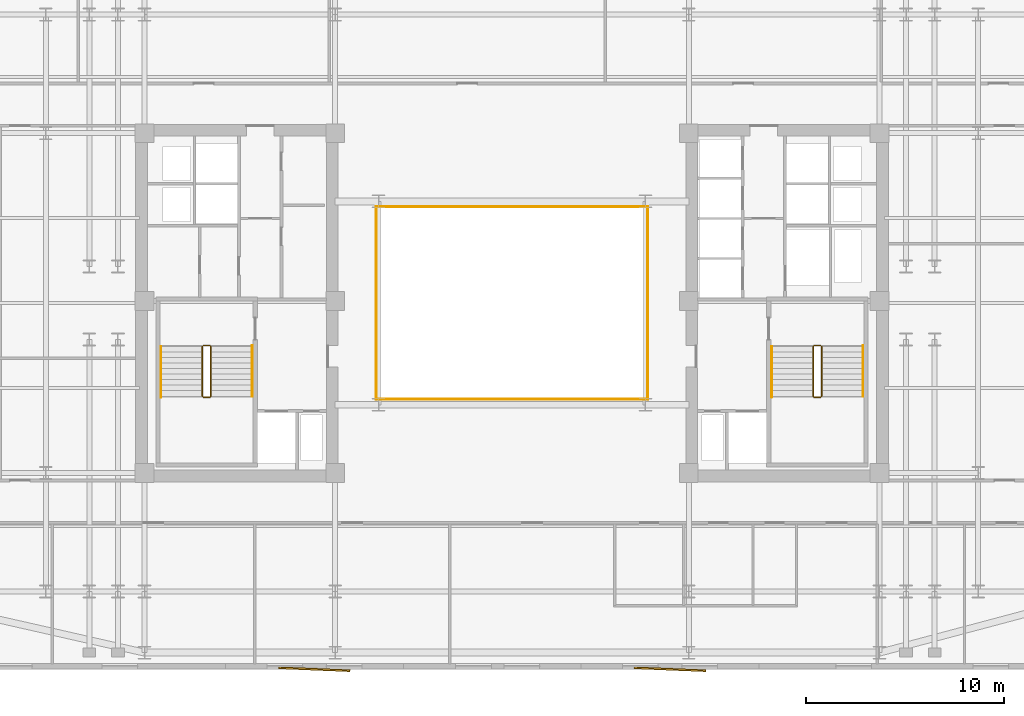
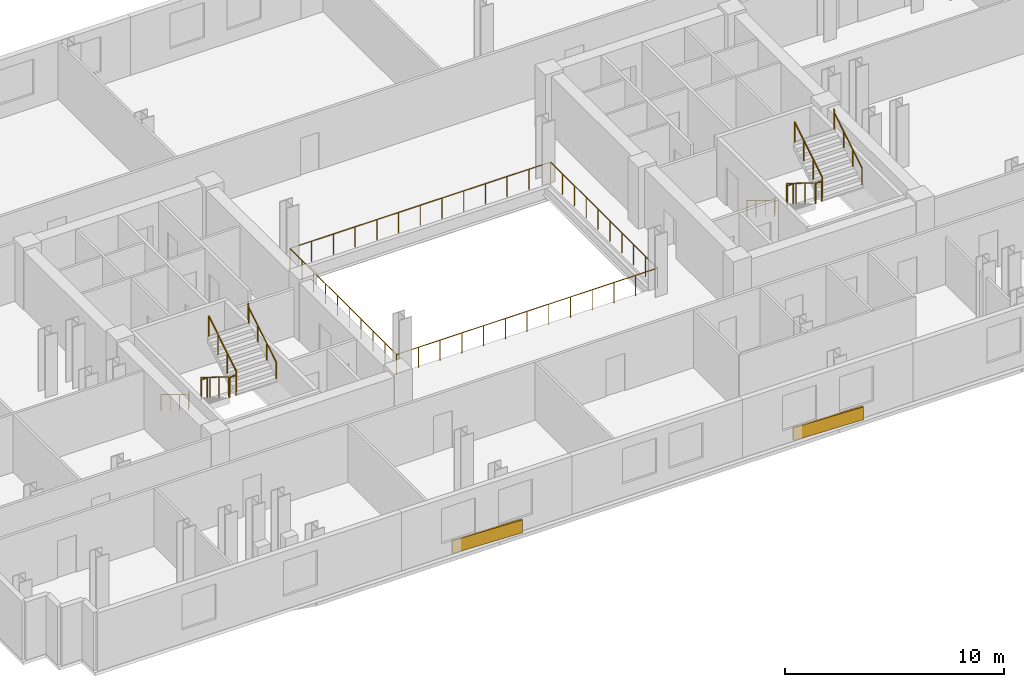
# One storey, part 8 of 9: 16 railings, 2 coverings.
"""IFC4 building model written with IfcOpenShell, lengths in metres."""

import ifcopenshell
import ifcopenshell.guid

model = None  # the IFC model being written
_history = None  # IfcOwnerHistory: only IFC2X3 demands one
_inside = {}  # id of a spatial element -> (the spatial element, [elements in it])
_under = {}  # id of a project, library or spatial element -> (it, [spatial elements below it])
_declared = {}  # id of a project -> (the project, [libraries it declares])
_typed = {}  # id of a type object -> (the type object, [elements of that type])
_made_of = {}  # id of a material, layer set ... -> (it, [elements and type objects made of it])


def new_model(schema):
    """Start an empty IFC model of exactly this schema.

    Asked for "IFC4X3", IfcOpenShell would pick the latest addendum, in which some entities
    have other attributes; the version numbers below select the first issue.
    IFC2X3 requires an IfcOwnerHistory on every rooted entity: one is made here for all.
    """
    global model, _history
    if schema == "IFC4X3":
        model = ifcopenshell.file(schema_version=(4, 3, 0, 0))
    else:
        model = ifcopenshell.file(schema=schema)
    _inside.clear()
    _under.clear()
    _declared.clear()
    _typed.clear()
    _made_of.clear()
    _history = None
    if model.schema == "IFC2X3":
        org = make("IfcOrganization", Name="unknown")
        user = make(
            "IfcPersonAndOrganization",
            ThePerson=make("IfcPerson", FamilyName="unknown"),
            TheOrganization=org,
        )
        app = make(
            "IfcApplication",
            ApplicationDeveloper=org,
            Version="unknown",
            ApplicationFullName="unknown",
            ApplicationIdentifier="unknown",
        )
        _history = make(
            "IfcOwnerHistory",
            OwningUser=user,
            OwningApplication=app,
            ChangeAction="ADDED",
            CreationDate=0,
        )
    return model


def make(cls, **values):
    """One entity of the class cls with the attributes given. An attribute that is None is left unset."""
    return model.create_entity(
        cls, **{name: value for name, value in values.items() if value is not None}
    )


def rooted(cls, **values):
    """An entity with a GlobalId (a new one), such as an element, a storey or a relation."""
    return make(cls, GlobalId=ifcopenshell.guid.new(), OwnerHistory=_history, **values)


def si_unit(unit_type, name, prefix=None):
    """IfcSIUnit, for example si_unit("LENGTHUNIT", "METRE", prefix="MILLI")."""
    return make("IfcSIUnit", UnitType=unit_type, Prefix=prefix, Name=name)


def assignment(units):
    """IfcUnitAssignment: the units of a project."""
    return None if units is None else make("IfcUnitAssignment", Units=units)


def point(xyz):
    """IfcCartesianPoint."""
    return None if xyz is None else make("IfcCartesianPoint", Coordinates=xyz)


def direction(xyz):
    """IfcDirection."""
    return None if xyz is None else make("IfcDirection", DirectionRatios=xyz)


def frame(location, z_axis=None, x_axis=None):
    """IfcAxis2Placement3D, a coordinate frame: its origin and axes. An axis left out is left unset."""
    return make(
        "IfcAxis2Placement3D",
        Location=point(location),
        Axis=direction(z_axis),
        RefDirection=direction(x_axis),
    )


def frame_2d(location, x_axis=None):
    """IfcAxis2Placement2D, a coordinate frame in the plane: its origin and x axis."""
    return make(
        "IfcAxis2Placement2D", Location=point(location), RefDirection=direction(x_axis)
    )


def origin():
    """The frame at (0, 0, 0) with its axes left unset."""
    return frame((0.0, 0.0, 0.0))


def origin_2d():
    """The frame at (0, 0) in the plane with its x axis left unset."""
    return frame_2d((0.0, 0.0))


def place(relative_to, where):
    """IfcLocalPlacement: puts the frame where relative to a parent placement (None: the world)."""
    return make(
        "IfcLocalPlacement", PlacementRelTo=relative_to, RelativePlacement=where
    )


def context(
    kind, dimensions, precision=None, world=None, true_north=None, identifier=None
):
    """IfcGeometricRepresentationContext, for example the 3D "Model" context."""
    return make(
        "IfcGeometricRepresentationContext",
        ContextIdentifier=identifier,
        ContextType=kind,
        CoordinateSpaceDimension=dimensions,
        Precision=precision,
        WorldCoordinateSystem=world,
        TrueNorth=true_north,
    )


def subcontext(parent, identifier, kind, view, scale=None):
    """IfcGeometricRepresentationSubContext, for example "Body" below "Model"."""
    return make(
        "IfcGeometricRepresentationSubContext",
        ContextIdentifier=identifier,
        ContextType=kind,
        ParentContext=parent,
        TargetScale=scale,
        TargetView=view,
    )


def project(units=None, contexts=None):
    """IfcProject with its units and contexts."""
    return rooted(
        "IfcProject",
        Name="project",
        RepresentationContexts=contexts,
        UnitsInContext=assignment(units),
    )


def spatial(cls, under=None, at=None, **own):
    """A site, building, storey or space (cls), placed at a placement, below another one or the project."""
    s = rooted(cls, ObjectPlacement=at, **own)
    if under is not None:
        _under.setdefault(under.id(), (under, []))[1].append(s)
    return s


def profile(cls, at=None, kind="AREA", **sizes):
    """A parametric profile (cls). Its sizes go by their IFC names, for example OverallWidth=200.0."""
    return make(cls, ProfileType=kind, Position=at, **sizes)


def rectangle(**sizes):
    """IfcRectangleProfileDef."""
    return profile("IfcRectangleProfileDef", **sizes)


def circle(**sizes):
    """IfcCircleProfileDef."""
    return profile("IfcCircleProfileDef", **sizes)


def extrude(swept, where, along, depth):
    """IfcExtrudedAreaSolid: the profile swept, set in the frame where, extruded along a direction by depth."""
    return make(
        "IfcExtrudedAreaSolid",
        SweptArea=swept,
        Position=where,
        ExtrudedDirection=direction(along),
        Depth=depth,
    )


def shape(context_of_items, identifier, shape_type, items):
    """IfcShapeRepresentation: the items that make up one representation, for example the "Body"."""
    return make(
        "IfcShapeRepresentation",
        ContextOfItems=context_of_items,
        RepresentationIdentifier=identifier,
        RepresentationType=shape_type,
        Items=items,
    )


def material(Name=None, Category=None):
    """IfcMaterial."""
    return make("IfcMaterial", Name=Name, Category=Category)


def layer(
    of_material, thickness, ventilated=None, Name=None, Category=None, Priority=None
):
    """IfcMaterialLayer: one layer of a wall or slab, of a material (None: an air gap)."""
    return make(
        "IfcMaterialLayer",
        Material=of_material,
        LayerThickness=thickness,
        IsVentilated=ventilated,
        Name=Name,
        Category=Category,
        Priority=Priority,
    )


def layer_set(layers, Name=None):
    """IfcMaterialLayerSet."""
    return make("IfcMaterialLayerSet", MaterialLayers=layers, LayerSetName=Name)


def made_of(thing, what):
    """Note that an element or type object is made of a material, layer set ...; save() writes the relation."""
    if what is not None:
        _made_of.setdefault(what.id(), (what, []))[1].append(thing)
    return thing


def type_object(cls, material=None, **own):
    """A type object (cls), such as IfcWallType, which elements share."""
    return made_of(rooted(cls, **own), material)


def element(
    cls,
    number,
    at=None,
    inside=None,
    cuts=None,
    type_object=None,
    material=None,
    context=None,
    identifier="Body",
    shape_type=None,
    held_by="IfcProductDefinitionShape",
    body=None,
    shapes=None,
    **own,
):
    """One element of the class cls, such as IfcWall. Its Tag is "e" and its number.

    at: its placement. inside: the storey or other place that contains it. cuts: it is an
    opening in that element (IfcRelVoidsElement). A single representation is given by context,
    identifier, shape_type and body (its items); several are given by shapes. held_by: the class
    of the entity that holds the representations. save() writes the other relations.
    """
    e = rooted(cls, Tag="e%d" % number, ObjectPlacement=at, **own)
    if body is not None:
        shapes = [shape(context, identifier, shape_type, body)]
    if shapes is not None:
        e.Representation = make(held_by, Representations=shapes)
    if inside is not None:
        _inside.setdefault(inside.id(), (inside, []))[1].append(e)
    if cuts is not None:
        rooted(
            "IfcRelVoidsElement", RelatingBuildingElement=cuts, RelatedOpeningElement=e
        )
    if type_object is not None:
        _typed.setdefault(type_object.id(), (type_object, []))[1].append(e)
    return made_of(e, material)


def aggregate(whole, parts):
    """IfcRelAggregates: a whole, such as a stair, and the parts it consists of."""
    return rooted("IfcRelAggregates", RelatingObject=whole, RelatedObjects=parts)


def save(model, path):
    """Write the relations noted so far, then the file.

    IfcRelAggregates (storeys below a building ...), IfcRelContainedInSpatialStructure (elements
    in a storey), IfcRelDefinesByType, IfcRelAssociatesMaterial and IfcRelDeclares: one each for
    every whole, place, type object, material and project.
    """
    for whole, parts in _under.values():
        aggregate(whole, parts)
    for where, things in _inside.values():
        rooted(
            "IfcRelContainedInSpatialStructure",
            RelatedElements=things,
            RelatingStructure=where,
        )
    for kind, things in _typed.values():
        rooted("IfcRelDefinesByType", RelatedObjects=things, RelatingType=kind)
    for what, things in _made_of.values():
        rooted("IfcRelAssociatesMaterial", RelatedObjects=things, RelatingMaterial=what)
    for by, libraries in _declared.values():
        rooted("IfcRelDeclares", RelatingContext=by, RelatedDefinitions=libraries)
    model.write(path)


model = new_model("IFC4")

# Units and contexts
model_context = context("Model", 3, precision=1e-05, world=origin(), true_north=direction((0.0, 1.0)))
body_context = subcontext(model_context, "Body", "Model", "MODEL_VIEW")
ifc_project = project(units=[si_unit("LENGTHUNIT", "METRE"), si_unit("AREAUNIT", "SQUARE_METRE"), si_unit("VOLUMEUNIT", "CUBIC_METRE"), si_unit("PLANEANGLEUNIT", "RADIAN"), si_unit("MASSUNIT", "GRAM", prefix="KILO")], contexts=[model_context])

# Site, building, storey
site_placement = place(None, origin())
site = spatial("IfcSite", under=ifc_project, at=site_placement, CompositionType="ELEMENT")
building_placement = place(site_placement, origin())
building = spatial("IfcBuilding", under=site, at=building_placement, Name="Velakula Bourse", CompositionType="ELEMENT")
storey_placement = place(building_placement, frame((0.0, 0.0, 138.10009765625)))
storey = spatial("IfcBuildingStorey", under=building, at=storey_placement, Name="L37", CompositionType="ELEMENT", Elevation=138.10009765625)

# Coverings
ifc_material_1 = material(Name="Red kilned clay facing brick masonry", Category="masonry")
ifc_layer = layer(ifc_material_1, 0.090087890625, Name="Red kilned clay facing brick masonry", Category="masonry")
ifc_layer_set = layer_set([ifc_layer], Name="Red kilned clay facing brick masonry")
covering_type = type_object("IfcCoveringType", Name="COV-BRK-FOLD-90", PredefinedType="CLADDING", material=ifc_layer_set)
for number, where, z_axis, x_axis, name in (
    (1, (-10.0, -18.5400390625, 0.0), (0.0, 0.0, 1.0), (0.999158993058, -0.041003738744, 0.0), "L37 Folded Brick Facade Cladding Panel S-B2"),
    (2, (8.0, -18.5400390625, 0.0), (0.0, 0.0, 1.0), (0.999158993058, -0.041003738744, 0.0), "L37 Folded Brick Facade Cladding Panel S-B4"),
):
    element("IfcCovering", number, at=place(storey_placement, frame(where, z_axis=z_axis, x_axis=x_axis)), inside=storey, type_object=covering_type, Name=name, PredefinedType="CLADDING", context=body_context, shape_type="SweptSolid", body=[
        extrude(rectangle(XDim=3.60009765625, YDim=0.090087890625, at=origin_2d()), origin(), (0.0, 0.0, 1.0), 0.719970703125),
    ])

# Railings
ifc_material_2 = material(Name="Brushed grade 316 stainless steel", Category="steel")
railing_type_1 = type_object("IfcRailingType", Name="RLG-ATRIUM-1150", PredefinedType="BALUSTRADE", material=ifc_material_2)
railing_1_placement = place(storey_placement, frame((-6.8798828125, -4.8798828125, 0.0)))
element("IfcRailing", 3, at=railing_1_placement, inside=storey, type_object=railing_type_1, Name="L37 Central Trading Atrium Balustrade S", PredefinedType="BALUSTRADE", context=body_context, shape_type="SweptSolid", body=[
    extrude(circle(Radius=0.02392578125, at=origin_2d()), frame((0.0, 0.0, 1.1259765625), z_axis=(1.0, 0.0, 0.0), x_axis=(0.0, 1.0, 0.0)), (0.0, 0.0, 1.0), 13.759765625),
    extrude(circle(Radius=0.02099609375, at=origin_2d()), origin(), (0.0, 0.0, 1.0), 1.101806640625),
    extrude(circle(Radius=0.02099609375, at=origin_2d()), frame((1.146728515625, 0.0, 0.0)), (0.0, 0.0, 1.0), 1.101806640625),
    extrude(circle(Radius=0.02099609375, at=origin_2d()), frame((2.293212890625, 0.0, 0.0)), (0.0, 0.0, 1.0), 1.101806640625),
    extrude(circle(Radius=0.02099609375, at=origin_2d()), frame((3.43994140625, 0.0, 0.0)), (0.0, 0.0, 1.0), 1.101806640625),
    extrude(circle(Radius=0.02099609375, at=origin_2d()), frame((4.586669921875, 0.0, 0.0)), (0.0, 0.0, 1.0), 1.101806640625),
    extrude(circle(Radius=0.02099609375, at=origin_2d()), frame((5.733154296875, 0.0, 0.0)), (0.0, 0.0, 1.0), 1.101806640625),
    extrude(circle(Radius=0.02099609375, at=origin_2d()), frame((6.8798828125, 0.0, 0.0)), (0.0, 0.0, 1.0), 1.101806640625),
    extrude(circle(Radius=0.02099609375, at=origin_2d()), frame((8.026611328125, 0.0, 0.0)), (0.0, 0.0, 1.0), 1.101806640625),
    extrude(circle(Radius=0.02099609375, at=origin_2d()), frame((9.173095703125, 0.0, 0.0)), (0.0, 0.0, 1.0), 1.101806640625),
    extrude(circle(Radius=0.02099609375, at=origin_2d()), frame((10.31982421875, 0.0, 0.0)), (0.0, 0.0, 1.0), 1.101806640625),
    extrude(circle(Radius=0.02099609375, at=origin_2d()), frame((11.466552734375, 0.0, 0.0)), (0.0, 0.0, 1.0), 1.101806640625),
    extrude(circle(Radius=0.02099609375, at=origin_2d()), frame((12.613037109375, 0.0, 0.0)), (0.0, 0.0, 1.0), 1.101806640625),
    extrude(circle(Radius=0.02099609375, at=origin_2d()), frame((13.759765625, 0.0, 0.0)), (0.0, 0.0, 1.0), 1.101806640625),
])
railing_2_placement = place(storey_placement, frame((6.8798828125, -4.8798828125, 0.0)))
element("IfcRailing", 4, at=railing_2_placement, inside=storey, type_object=railing_type_1, Name="L37 Central Trading Atrium Balustrade E", PredefinedType="BALUSTRADE", context=body_context, shape_type="SweptSolid", body=[
    extrude(circle(Radius=0.02392578125, at=origin_2d()), frame((0.0, 0.0, 1.1259765625), z_axis=(0.0, 1.0, 0.0), x_axis=(-1.0, 0.0, 0.0)), (0.0, 0.0, 1.0), 9.759765625),
    extrude(circle(Radius=0.02099609375, at=origin_2d()), origin(), (0.0, 0.0, 1.0), 1.101806640625),
    extrude(circle(Radius=0.02099609375, at=origin_2d()), frame((0.0, 1.08447265625, 0.0)), (0.0, 0.0, 1.0), 1.101806640625),
    extrude(circle(Radius=0.02099609375, at=origin_2d()), frame((0.0, 2.1689453125, 0.0)), (0.0, 0.0, 1.0), 1.101806640625),
    extrude(circle(Radius=0.02099609375, at=origin_2d()), frame((0.0, 3.253173828125, 0.0)), (0.0, 0.0, 1.0), 1.101806640625),
    extrude(circle(Radius=0.02099609375, at=origin_2d()), frame((0.0, 4.337646484375, 0.0)), (0.0, 0.0, 1.0), 1.101806640625),
    extrude(circle(Radius=0.02099609375, at=origin_2d()), frame((0.0, 5.422119140625, 0.0)), (0.0, 0.0, 1.0), 1.101806640625),
    extrude(circle(Radius=0.02099609375, at=origin_2d()), frame((0.0, 6.506591796875, 0.0)), (0.0, 0.0, 1.0), 1.101806640625),
    extrude(circle(Radius=0.02099609375, at=origin_2d()), frame((0.0, 7.5908203125, 0.0)), (0.0, 0.0, 1.0), 1.101806640625),
    extrude(circle(Radius=0.02099609375, at=origin_2d()), frame((0.0, 8.67529296875, 0.0)), (0.0, 0.0, 1.0), 1.101806640625),
    extrude(circle(Radius=0.02099609375, at=origin_2d()), frame((0.0, 9.759765625, 0.0)), (0.0, 0.0, 1.0), 1.101806640625),
])
railing_3_placement = place(storey_placement, frame((6.8798828125, 4.8798828125, 0.0)))
element("IfcRailing", 5, at=railing_3_placement, inside=storey, type_object=railing_type_1, Name="L37 Central Trading Atrium Balustrade N", PredefinedType="BALUSTRADE", context=body_context, shape_type="SweptSolid", body=[
    extrude(circle(Radius=0.02392578125, at=origin_2d()), frame((0.0, 0.0, 1.1259765625), z_axis=(-1.0, 0.0, 0.0), x_axis=(0.0, -1.0, 0.0)), (0.0, 0.0, 1.0), 13.759765625),
    extrude(circle(Radius=0.02099609375, at=origin_2d()), origin(), (0.0, 0.0, 1.0), 1.101806640625),
    extrude(circle(Radius=0.02099609375, at=origin_2d()), frame((-1.146728515625, 0.0, 0.0)), (0.0, 0.0, 1.0), 1.101806640625),
    extrude(circle(Radius=0.02099609375, at=origin_2d()), frame((-2.293212890625, 0.0, 0.0)), (0.0, 0.0, 1.0), 1.101806640625),
    extrude(circle(Radius=0.02099609375, at=origin_2d()), frame((-3.43994140625, 0.0, 0.0)), (0.0, 0.0, 1.0), 1.101806640625),
    extrude(circle(Radius=0.02099609375, at=origin_2d()), frame((-4.586669921875, 0.0, 0.0)), (0.0, 0.0, 1.0), 1.101806640625),
    extrude(circle(Radius=0.02099609375, at=origin_2d()), frame((-5.733154296875, 0.0, 0.0)), (0.0, 0.0, 1.0), 1.101806640625),
    extrude(circle(Radius=0.02099609375, at=origin_2d()), frame((-6.8798828125, 0.0, 0.0)), (0.0, 0.0, 1.0), 1.101806640625),
    extrude(circle(Radius=0.02099609375, at=origin_2d()), frame((-8.026611328125, 0.0, 0.0)), (0.0, 0.0, 1.0), 1.101806640625),
    extrude(circle(Radius=0.02099609375, at=origin_2d()), frame((-9.173095703125, 0.0, 0.0)), (0.0, 0.0, 1.0), 1.101806640625),
    extrude(circle(Radius=0.02099609375, at=origin_2d()), frame((-10.31982421875, 0.0, 0.0)), (0.0, 0.0, 1.0), 1.101806640625),
    extrude(circle(Radius=0.02099609375, at=origin_2d()), frame((-11.466552734375, 0.0, 0.0)), (0.0, 0.0, 1.0), 1.101806640625),
    extrude(circle(Radius=0.02099609375, at=origin_2d()), frame((-12.613037109375, 0.0, 0.0)), (0.0, 0.0, 1.0), 1.101806640625),
    extrude(circle(Radius=0.02099609375, at=origin_2d()), frame((-13.759765625, 0.0, 0.0)), (0.0, 0.0, 1.0), 1.101806640625),
])
railing_4_placement = place(storey_placement, frame((-6.8798828125, 4.8798828125, 0.0)))
element("IfcRailing", 6, at=railing_4_placement, inside=storey, type_object=railing_type_1, Name="L37 Central Trading Atrium Balustrade W", PredefinedType="BALUSTRADE", context=body_context, shape_type="SweptSolid", body=[
    extrude(circle(Radius=0.02392578125, at=origin_2d()), frame((0.0, 0.0, 1.1259765625), z_axis=(0.0, -1.0, 0.0), x_axis=(1.0, 0.0, 0.0)), (0.0, 0.0, 1.0), 9.759765625),
    extrude(circle(Radius=0.02099609375, at=origin_2d()), origin(), (0.0, 0.0, 1.0), 1.101806640625),
    extrude(circle(Radius=0.02099609375, at=origin_2d()), frame((0.0, -1.08447265625, 0.0)), (0.0, 0.0, 1.0), 1.101806640625),
    extrude(circle(Radius=0.02099609375, at=origin_2d()), frame((0.0, -2.1689453125, 0.0)), (0.0, 0.0, 1.0), 1.101806640625),
    extrude(circle(Radius=0.02099609375, at=origin_2d()), frame((0.0, -3.253173828125, 0.0)), (0.0, 0.0, 1.0), 1.101806640625),
    extrude(circle(Radius=0.02099609375, at=origin_2d()), frame((0.0, -4.337646484375, 0.0)), (0.0, 0.0, 1.0), 1.101806640625),
    extrude(circle(Radius=0.02099609375, at=origin_2d()), frame((0.0, -5.422119140625, 0.0)), (0.0, 0.0, 1.0), 1.101806640625),
    extrude(circle(Radius=0.02099609375, at=origin_2d()), frame((0.0, -6.506591796875, 0.0)), (0.0, 0.0, 1.0), 1.101806640625),
    extrude(circle(Radius=0.02099609375, at=origin_2d()), frame((0.0, -7.5908203125, 0.0)), (0.0, 0.0, 1.0), 1.101806640625),
    extrude(circle(Radius=0.02099609375, at=origin_2d()), frame((0.0, -8.67529296875, 0.0)), (0.0, 0.0, 1.0), 1.101806640625),
    extrude(circle(Radius=0.02099609375, at=origin_2d()), frame((0.0, -9.759765625, 0.0)), (0.0, 0.0, 1.0), 1.101806640625),
])
railing_type_2 = type_object("IfcRailingType", Name="RLG-STAIR-GUARD-1150", PredefinedType="BALUSTRADE", material=ifc_material_2)
railing_5_placement = place(storey_placement, frame((-15.672119140625, -2.199951171875, 0.17236328125)))
element("IfcRailing", 7, at=railing_5_placement, inside=storey, type_object=railing_type_2, Name="L37 ST-W1 stair guard 1", PredefinedType="BALUSTRADE", context=body_context, shape_type="SweptSolid", body=[
    extrude(circle(Radius=0.02490234375, at=origin_2d()), frame((0.0, 0.0, 1.125), z_axis=(0.0, -0.851400495292, 0.524516154772), x_axis=(1.0, 0.0, 0.0)), (0.0, 0.0, 1.0), 2.9599609375),
    extrude(circle(Radius=0.02099609375, at=origin_2d()), origin(), (0.0, 0.0, 1.0), 1.099853515625),
    extrude(circle(Radius=0.02099609375, at=origin_2d()), frame((0.0, -0.840087890625, 0.517578125)), (0.0, 0.0, 1.0), 1.099853515625),
    extrude(circle(Radius=0.02099609375, at=origin_2d()), frame((0.0, -1.679931640625, 1.034912109375)), (0.0, 0.0, 1.0), 1.099853515625),
    extrude(circle(Radius=0.02099609375, at=origin_2d()), frame((0.0, -2.52001953125, 1.552490234375)), (0.0, 0.0, 1.0), 1.099853515625),
])
railing_6_placement = place(storey_placement, frame((-15.6220703125, -4.77001953125, 1.724853515625)))
element("IfcRailing", 8, at=railing_6_placement, inside=storey, type_object=railing_type_2, Name="L37 ST-W1 stair guard 2", PredefinedType="BALUSTRADE", context=body_context, shape_type="SweptSolid", body=[
    extrude(circle(Radius=0.02490234375, at=origin_2d()), frame((0.0, 0.0, 1.125), z_axis=(1.0, 0.0, 0.0), x_axis=(0.0, 1.0, 0.0)), (0.0, 0.0, 1.0), 0.323974609375),
    extrude(circle(Radius=0.02099609375, at=origin_2d()), origin(), (0.0, 0.0, 1.0), 1.099853515625),
    extrude(circle(Radius=0.02099609375, at=origin_2d()), frame((0.323974609375, 0.0, 0.0)), (0.0, 0.0, 1.0), 1.099853515625),
])
railing_7_placement = place(storey_placement, frame((-15.248046875, -4.719970703125, 1.8974609375)))
element("IfcRailing", 9, at=railing_7_placement, inside=storey, type_object=railing_type_2, Name="L37 ST-W1 stair guard 3", PredefinedType="BALUSTRADE", context=body_context, shape_type="SweptSolid", body=[
    extrude(circle(Radius=0.02490234375, at=origin_2d()), frame((0.0, 0.0, 1.125), z_axis=(0.0, 0.851400495292, 0.524516154772), x_axis=(-1.0, 0.0, 0.0)), (0.0, 0.0, 1.0), 2.9599609375),
    extrude(circle(Radius=0.02099609375, at=origin_2d()), origin(), (0.0, 0.0, 1.0), 1.099853515625),
    extrude(circle(Radius=0.02099609375, at=origin_2d()), frame((0.0, 0.840087890625, 0.517578125)), (0.0, 0.0, 1.0), 1.099853515625),
    extrude(circle(Radius=0.02099609375, at=origin_2d()), frame((0.0, 1.679931640625, 1.034912109375)), (0.0, 0.0, 1.0), 1.099853515625),
    extrude(circle(Radius=0.02099609375, at=origin_2d()), frame((0.0, 2.52001953125, 1.552490234375)), (0.0, 0.0, 1.0), 1.099853515625),
])
railing_8_placement = place(storey_placement, frame((-15.6220703125, -2.14990234375, 0.0)))
element("IfcRailing", 10, at=railing_8_placement, inside=storey, type_object=railing_type_2, Name="L37 ST-W1 stair guard 4", PredefinedType="BALUSTRADE", context=body_context, shape_type="SweptSolid", body=[
    extrude(circle(Radius=0.02490234375, at=origin_2d()), frame((0.0, 0.0, 1.125), z_axis=(1.0, 0.0, 0.0), x_axis=(0.0, 1.0, 0.0)), (0.0, 0.0, 1.0), 0.323974609375),
    extrude(circle(Radius=0.02099609375, at=origin_2d()), origin(), (0.0, 0.0, 1.0), 1.099853515625),
    extrude(circle(Radius=0.02099609375, at=origin_2d()), frame((0.323974609375, 0.0, 0.0)), (0.0, 0.0, 1.0), 1.099853515625),
])
railing_9_placement = place(storey_placement, frame((15.248046875, -2.199951171875, 0.17236328125)))
element("IfcRailing", 11, at=railing_9_placement, inside=storey, type_object=railing_type_2, Name="L37 ST-E1 stair guard 1", PredefinedType="BALUSTRADE", context=body_context, shape_type="SweptSolid", body=[
    extrude(circle(Radius=0.02490234375, at=origin_2d()), frame((0.0, 0.0, 1.125), z_axis=(0.0, -0.851400495292, 0.524516154772), x_axis=(1.0, 0.0, 0.0)), (0.0, 0.0, 1.0), 2.9599609375),
    extrude(circle(Radius=0.02099609375, at=origin_2d()), origin(), (0.0, 0.0, 1.0), 1.099853515625),
    extrude(circle(Radius=0.02099609375, at=origin_2d()), frame((0.0, -0.840087890625, 0.517578125)), (0.0, 0.0, 1.0), 1.099853515625),
    extrude(circle(Radius=0.02099609375, at=origin_2d()), frame((0.0, -1.679931640625, 1.034912109375)), (0.0, 0.0, 1.0), 1.099853515625),
    extrude(circle(Radius=0.02099609375, at=origin_2d()), frame((0.0, -2.52001953125, 1.552490234375)), (0.0, 0.0, 1.0), 1.099853515625),
])
railing_10_placement = place(storey_placement, frame((15.298095703125, -4.77001953125, 1.724853515625)))
element("IfcRailing", 12, at=railing_10_placement, inside=storey, type_object=railing_type_2, Name="L37 ST-E1 stair guard 2", PredefinedType="BALUSTRADE", context=body_context, shape_type="SweptSolid", body=[
    extrude(circle(Radius=0.02490234375, at=origin_2d()), frame((0.0, 0.0, 1.125), z_axis=(1.0, 0.0, 0.0), x_axis=(0.0, 1.0, 0.0)), (0.0, 0.0, 1.0), 0.323974609375),
    extrude(circle(Radius=0.02099609375, at=origin_2d()), origin(), (0.0, 0.0, 1.0), 1.099853515625),
    extrude(circle(Radius=0.02099609375, at=origin_2d()), frame((0.323974609375, 0.0, 0.0)), (0.0, 0.0, 1.0), 1.099853515625),
])
railing_11_placement = place(storey_placement, frame((15.672119140625, -4.719970703125, 1.8974609375)))
element("IfcRailing", 13, at=railing_11_placement, inside=storey, type_object=railing_type_2, Name="L37 ST-E1 stair guard 3", PredefinedType="BALUSTRADE", context=body_context, shape_type="SweptSolid", body=[
    extrude(circle(Radius=0.02490234375, at=origin_2d()), frame((0.0, 0.0, 1.125), z_axis=(0.0, 0.851400495292, 0.524516154772), x_axis=(-1.0, 0.0, 0.0)), (0.0, 0.0, 1.0), 2.9599609375),
    extrude(circle(Radius=0.02099609375, at=origin_2d()), origin(), (0.0, 0.0, 1.0), 1.099853515625),
    extrude(circle(Radius=0.02099609375, at=origin_2d()), frame((0.0, 0.840087890625, 0.517578125)), (0.0, 0.0, 1.0), 1.099853515625),
    extrude(circle(Radius=0.02099609375, at=origin_2d()), frame((0.0, 1.679931640625, 1.034912109375)), (0.0, 0.0, 1.0), 1.099853515625),
    extrude(circle(Radius=0.02099609375, at=origin_2d()), frame((0.0, 2.52001953125, 1.552490234375)), (0.0, 0.0, 1.0), 1.099853515625),
])
railing_12_placement = place(storey_placement, frame((15.298095703125, -2.14990234375, 0.0)))
element("IfcRailing", 14, at=railing_12_placement, inside=storey, type_object=railing_type_2, Name="L37 ST-E1 stair guard 4", PredefinedType="BALUSTRADE", context=body_context, shape_type="SweptSolid", body=[
    extrude(circle(Radius=0.02490234375, at=origin_2d()), frame((0.0, 0.0, 1.125), z_axis=(1.0, 0.0, 0.0), x_axis=(0.0, 1.0, 0.0)), (0.0, 0.0, 1.0), 0.323974609375),
    extrude(circle(Radius=0.02099609375, at=origin_2d()), origin(), (0.0, 0.0, 1.0), 1.099853515625),
    extrude(circle(Radius=0.02099609375, at=origin_2d()), frame((0.323974609375, 0.0, 0.0)), (0.0, 0.0, 1.0), 1.099853515625),
])
railing_type_3 = type_object("IfcRailingType", Name="RLG-STAIR-HAND-920", PredefinedType="HANDRAIL", material=ifc_material_2)
railing_13_placement = place(storey_placement, frame((-17.77001953125, -2.199951171875, 0.17236328125)))
element("IfcRailing", 15, at=railing_13_placement, inside=storey, type_object=railing_type_3, Name="L37 ST-W1 stair handrail 1", PredefinedType="HANDRAIL", context=body_context, shape_type="SweptSolid", body=[
    extrude(circle(Radius=0.02099609375, at=origin_2d()), frame((0.0, 0.0, 0.89892578125), z_axis=(0.0, -0.851400495292, 0.524516154772), x_axis=(1.0, 0.0, 0.0)), (0.0, 0.0, 1.0), 2.9599609375),
    extrude(circle(Radius=0.02099609375, at=origin_2d()), frame((0.0, -2.52001953125, 2.451416015625), z_axis=(0.0, -0.22596628056, 0.974135124123), x_axis=(1.0, 0.0, 0.0)), (0.0, 0.0, 1.0), 0.17724609375),
    extrude(circle(Radius=0.02099609375, at=origin_2d()), frame((0.0, -2.56005859375, 2.6240234375), z_axis=(0.0, -1.0, 0.0), x_axis=(1.0, 0.0, 0.0)), (0.0, 0.0, 1.0), 0.0048828125),
    extrude(circle(Radius=0.02099609375, at=origin_2d()), origin(), (0.0, 0.0, 1.0), 0.8779296875),
    extrude(circle(Radius=0.02099609375, at=origin_2d()), frame((0.0, -0.840087890625, 0.517578125)), (0.0, 0.0, 1.0), 0.8779296875),
    extrude(circle(Radius=0.02099609375, at=origin_2d()), frame((0.0, -1.679931640625, 1.034912109375)), (0.0, 0.0, 1.0), 0.8779296875),
    extrude(circle(Radius=0.02099609375, at=origin_2d()), frame((0.0, -2.52001953125, 1.552490234375)), (0.0, 0.0, 1.0), 0.8779296875),
    extrude(circle(Radius=0.02099609375, at=origin_2d()), frame((0.0, -2.56005859375, 1.72509765625)), (0.0, 0.0, 1.0), 0.8779296875),
    extrude(circle(Radius=0.02099609375, at=origin_2d()), frame((0.0, -2.56494140625, 1.72509765625)), (0.0, 0.0, 1.0), 0.8779296875),
])
railing_14_placement = place(storey_placement, frame((-13.14990234375, -4.719970703125, 1.8974609375)))
element("IfcRailing", 16, at=railing_14_placement, inside=storey, type_object=railing_type_3, Name="L37 ST-W1 stair handrail 2", PredefinedType="HANDRAIL", context=body_context, shape_type="SweptSolid", body=[
    extrude(circle(Radius=0.02099609375, at=origin_2d()), frame((0.0, 0.0, 0.89892578125), z_axis=(0.0, 0.851400495292, 0.524516154772), x_axis=(-1.0, 0.0, 0.0)), (0.0, 0.0, 1.0), 2.9599609375),
    extrude(circle(Radius=0.02099609375, at=origin_2d()), frame((0.0, 2.52001953125, 2.451416015625), z_axis=(0.0, 0.226269970362, 0.974064628509), x_axis=(-1.0, 0.0, 0.0)), (0.0, 0.0, 1.0), 0.177001953125),
    extrude(circle(Radius=0.02099609375, at=origin_2d()), frame((0.0, 2.56005859375, 2.623779296875), z_axis=(0.0, 1.0, 0.0), x_axis=(-1.0, 0.0, 0.0)), (0.0, 0.0, 1.0), 0.0048828125),
    extrude(circle(Radius=0.02099609375, at=origin_2d()), origin(), (0.0, 0.0, 1.0), 0.8779296875),
    extrude(circle(Radius=0.02099609375, at=origin_2d()), frame((0.0, 0.840087890625, 0.517578125)), (0.0, 0.0, 1.0), 0.8779296875),
    extrude(circle(Radius=0.02099609375, at=origin_2d()), frame((0.0, 1.679931640625, 1.034912109375)), (0.0, 0.0, 1.0), 0.8779296875),
    extrude(circle(Radius=0.02099609375, at=origin_2d()), frame((0.0, 2.52001953125, 1.552490234375)), (0.0, 0.0, 1.0), 0.8779296875),
    extrude(circle(Radius=0.02099609375, at=origin_2d()), frame((0.0, 2.56005859375, 1.724853515625)), (0.0, 0.0, 1.0), 0.8779296875),
    extrude(circle(Radius=0.02099609375, at=origin_2d()), frame((0.0, 2.56494140625, 1.724853515625)), (0.0, 0.0, 1.0), 0.8779296875),
])
railing_15_placement = place(storey_placement, frame((13.14990234375, -2.199951171875, 0.17236328125)))
element("IfcRailing", 17, at=railing_15_placement, inside=storey, type_object=railing_type_3, Name="L37 ST-E1 stair handrail 1", PredefinedType="HANDRAIL", context=body_context, shape_type="SweptSolid", body=[
    extrude(circle(Radius=0.02099609375, at=origin_2d()), frame((0.0, 0.0, 0.89892578125), z_axis=(0.0, -0.851400495292, 0.524516154772), x_axis=(1.0, 0.0, 0.0)), (0.0, 0.0, 1.0), 2.9599609375),
    extrude(circle(Radius=0.02099609375, at=origin_2d()), frame((0.0, -2.52001953125, 2.451416015625), z_axis=(0.0, -0.22596628056, 0.974135124123), x_axis=(1.0, 0.0, 0.0)), (0.0, 0.0, 1.0), 0.17724609375),
    extrude(circle(Radius=0.02099609375, at=origin_2d()), frame((0.0, -2.56005859375, 2.6240234375), z_axis=(0.0, -1.0, 0.0), x_axis=(1.0, 0.0, 0.0)), (0.0, 0.0, 1.0), 0.0048828125),
    extrude(circle(Radius=0.02099609375, at=origin_2d()), origin(), (0.0, 0.0, 1.0), 0.8779296875),
    extrude(circle(Radius=0.02099609375, at=origin_2d()), frame((0.0, -0.840087890625, 0.517578125)), (0.0, 0.0, 1.0), 0.8779296875),
    extrude(circle(Radius=0.02099609375, at=origin_2d()), frame((0.0, -1.679931640625, 1.034912109375)), (0.0, 0.0, 1.0), 0.8779296875),
    extrude(circle(Radius=0.02099609375, at=origin_2d()), frame((0.0, -2.52001953125, 1.552490234375)), (0.0, 0.0, 1.0), 0.8779296875),
    extrude(circle(Radius=0.02099609375, at=origin_2d()), frame((0.0, -2.56005859375, 1.72509765625)), (0.0, 0.0, 1.0), 0.8779296875),
    extrude(circle(Radius=0.02099609375, at=origin_2d()), frame((0.0, -2.56494140625, 1.72509765625)), (0.0, 0.0, 1.0), 0.8779296875),
])
railing_16_placement = place(storey_placement, frame((17.77001953125, -4.719970703125, 1.8974609375)))
element("IfcRailing", 18, at=railing_16_placement, inside=storey, type_object=railing_type_3, Name="L37 ST-E1 stair handrail 2", PredefinedType="HANDRAIL", context=body_context, shape_type="SweptSolid", body=[
    extrude(circle(Radius=0.02099609375, at=origin_2d()), frame((0.0, 0.0, 0.89892578125), z_axis=(0.0, 0.851400495292, 0.524516154772), x_axis=(-1.0, 0.0, 0.0)), (0.0, 0.0, 1.0), 2.9599609375),
    extrude(circle(Radius=0.02099609375, at=origin_2d()), frame((0.0, 2.52001953125, 2.451416015625), z_axis=(0.0, 0.226269970362, 0.974064628509), x_axis=(-1.0, 0.0, 0.0)), (0.0, 0.0, 1.0), 0.177001953125),
    extrude(circle(Radius=0.02099609375, at=origin_2d()), frame((0.0, 2.56005859375, 2.623779296875), z_axis=(0.0, 1.0, 0.0), x_axis=(-1.0, 0.0, 0.0)), (0.0, 0.0, 1.0), 0.0048828125),
    extrude(circle(Radius=0.02099609375, at=origin_2d()), origin(), (0.0, 0.0, 1.0), 0.8779296875),
    extrude(circle(Radius=0.02099609375, at=origin_2d()), frame((0.0, 0.840087890625, 0.517578125)), (0.0, 0.0, 1.0), 0.8779296875),
    extrude(circle(Radius=0.02099609375, at=origin_2d()), frame((0.0, 1.679931640625, 1.034912109375)), (0.0, 0.0, 1.0), 0.8779296875),
    extrude(circle(Radius=0.02099609375, at=origin_2d()), frame((0.0, 2.52001953125, 1.552490234375)), (0.0, 0.0, 1.0), 0.8779296875),
    extrude(circle(Radius=0.02099609375, at=origin_2d()), frame((0.0, 2.56005859375, 1.724853515625)), (0.0, 0.0, 1.0), 0.8779296875),
    extrude(circle(Radius=0.02099609375, at=origin_2d()), frame((0.0, 2.56494140625, 1.724853515625)), (0.0, 0.0, 1.0), 0.8779296875),
])

save(model, "model.ifc")
